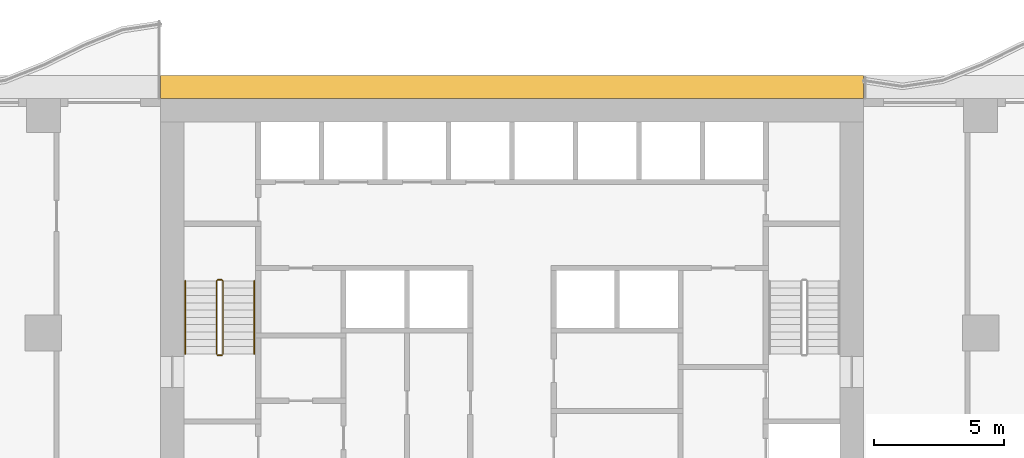
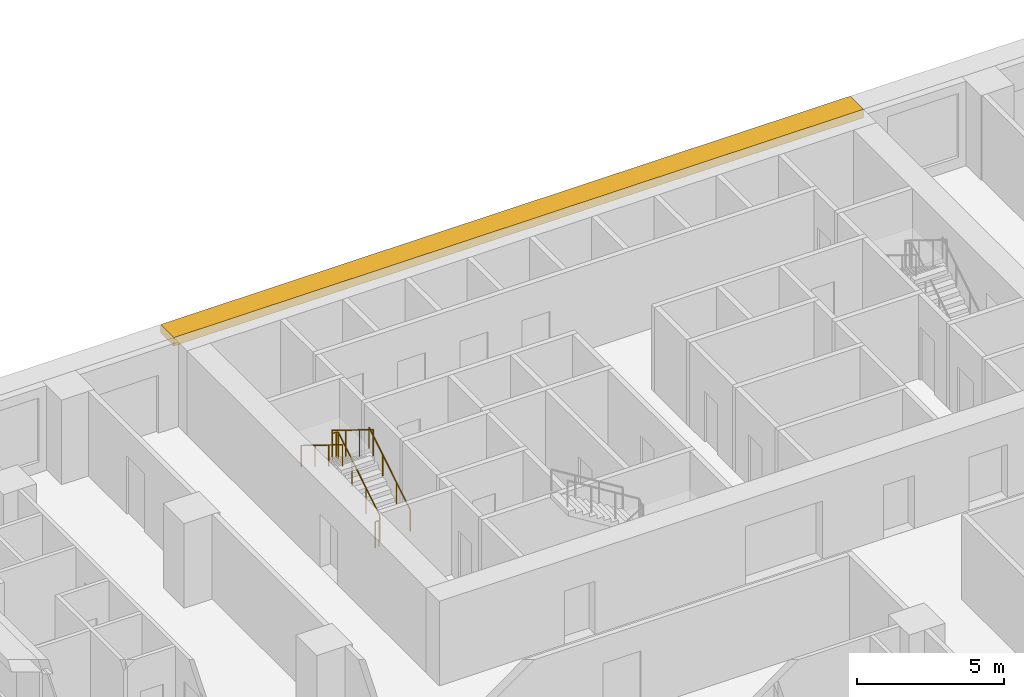
# One storey, part 12 of 14: 4 railings, 1 shading device.
"""IFC4 building model written with IfcOpenShell, lengths in metres."""

from ifc_helpers import new_model, si_unit, direction, frame, origin, origin_2d, place, context, subcontext, project, spatial, polyline, circle, outline, extrude, material, layer, layer_set, type_object, element, save


model = new_model("IFC4")

# Units and contexts
model_context = context("Model", 3, precision=1e-05, world=origin(), true_north=direction((0.0, 1.0)))
body_context = subcontext(model_context, "Body", "Model", "MODEL_VIEW")
ifc_project = project(units=[si_unit("LENGTHUNIT", "METRE"), si_unit("AREAUNIT", "SQUARE_METRE"), si_unit("VOLUMEUNIT", "CUBIC_METRE"), si_unit("PLANEANGLEUNIT", "RADIAN"), si_unit("MASSUNIT", "GRAM", prefix="KILO")], contexts=[model_context])

# Site, building, storey
site_placement = place(None, origin())
site = spatial("IfcSite", under=ifc_project, at=site_placement, CompositionType="ELEMENT")
building_placement = place(site_placement, origin())
building = spatial("IfcBuilding", under=site, at=building_placement, Name="Orbiselva Terraces", CompositionType="ELEMENT")
storey_placement = place(building_placement, frame((0.0, 0.0, 84.6)))
storey = spatial("IfcBuildingStorey", under=building, at=storey_placement, Name="L21", CompositionType="ELEMENT", Elevation=84.6)

# Railings
ifc_material_1 = material(Name="Stainless steel", Category="steel")
railing_type_1 = type_object("IfcRailingType", Name="CORE-GUARD-1100", PredefinedType="GUARDRAIL", material=ifc_material_1)
railing_1_placement = place(storey_placement, frame((-11.1, 12.7, 0.172727)))
element("IfcRailing", 1, at=railing_1_placement, inside=storey, type_object=railing_type_1, Name="L21 S1 stair guard 1", PredefinedType="GUARDRAIL", context=body_context, shape_type="SweptSolid", body=[
    extrude(circle(Radius=0.024, at=origin_2d()), frame((0.0, 0.0, 1.081), z_axis=(0.0, 0.851088519012, 0.52502222125), x_axis=(-1.0, 0.0, 0.0)), (0.0, 0.0, 1.0), 3.289905),
    extrude(circle(Radius=0.024, at=origin_2d()), frame((0.0, 2.8, 2.808273), z_axis=(-0.707106781187, 0.707106781187, 0.0), x_axis=(-0.707106781187, -0.707106781187, 0.0)), (0.0, 0.0, 1.0), 0.070711),
    extrude(circle(Radius=0.024, at=origin_2d()), frame((-0.05, 2.85, 2.808273), z_axis=(-1.0, 0.0, 0.0), x_axis=(0.0, -1.0, 0.0)), (0.0, 0.0, 1.0), 0.15),
    extrude(circle(Radius=0.024, at=origin_2d()), frame((-0.2, 2.85, 2.808273), z_axis=(-0.267894925557, -0.267894925557, 0.925453736133), x_axis=(0.707106781187, -0.707106781187, 0.0)), (0.0, 0.0, 1.0), 0.18664),
    extrude(circle(Radius=0.024, at=origin_2d()), frame((-0.25, 2.8, 2.981), z_axis=(0.0, -0.851088519012, 0.52502222125), x_axis=(1.0, 0.0, 0.0)), (0.0, 0.0, 1.0), 3.289905),
    extrude(circle(Radius=0.021, at=origin_2d()), origin(), (0.0, 0.0, 1.0), 1.057),
    extrude(circle(Radius=0.021, at=origin_2d()), frame((0.0, 0.933333, 0.575758)), (0.0, 0.0, 1.0), 1.057),
    extrude(circle(Radius=0.021, at=origin_2d()), frame((0.0, 1.866667, 1.151515)), (0.0, 0.0, 1.0), 1.057),
    extrude(circle(Radius=0.021, at=origin_2d()), frame((0.0, 2.8, 1.727273)), (0.0, 0.0, 1.0), 1.057),
    extrude(circle(Radius=0.021, at=origin_2d()), frame((-0.05, 2.85, 1.727273)), (0.0, 0.0, 1.0), 1.057),
    extrude(circle(Radius=0.021, at=origin_2d()), frame((-0.2, 2.85, 1.727273)), (0.0, 0.0, 1.0), 1.057),
    extrude(circle(Radius=0.021, at=origin_2d()), frame((-0.25, 2.8, 1.9)), (0.0, 0.0, 1.0), 1.057),
    extrude(circle(Radius=0.021, at=origin_2d()), frame((-0.25, 1.866667, 2.475758)), (0.0, 0.0, 1.0), 1.057),
    extrude(circle(Radius=0.021, at=origin_2d()), frame((-0.25, 0.933333, 3.051515)), (0.0, 0.0, 1.0), 1.057),
    extrude(circle(Radius=0.021, at=origin_2d()), frame((-0.25, 0.0, 3.627273)), (0.0, 0.0, 1.0), 1.057),
])
railing_2_placement = place(storey_placement, frame((-11.15, 12.65, 0.0)))
element("IfcRailing", 2, at=railing_2_placement, inside=storey, type_object=railing_type_1, Name="L21 S1 stair guard 2", PredefinedType="GUARDRAIL", context=body_context, shape_type="SweptSolid", body=[
    extrude(circle(Radius=0.024, at=origin_2d()), frame((0.0, 0.0, 1.081), z_axis=(-1.0, 0.0, 0.0), x_axis=(0.0, -1.0, 0.0)), (0.0, 0.0, 1.0), 0.15),
    extrude(circle(Radius=0.021, at=origin_2d()), origin(), (0.0, 0.0, 1.0), 1.057),
    extrude(circle(Radius=0.021, at=origin_2d()), frame((-0.15, 0.0, 0.0)), (0.0, 0.0, 1.0), 1.057),
])
railing_type_2 = type_object("IfcRailingType", Name="CORE-HANDRAIL-900", PredefinedType="HANDRAIL", material=ifc_material_1)
railing_3_placement = place(storey_placement, frame((-9.9, 12.7, 0.172727)))
element("IfcRailing", 3, at=railing_3_placement, inside=storey, type_object=railing_type_2, Name="L21 S1 stair handrail 1", PredefinedType="HANDRAIL", context=body_context, shape_type="SweptSolid", body=[
    extrude(circle(Radius=0.024, at=origin_2d()), frame((0.0, 0.0, 0.876), z_axis=(0.0, 0.851088519012, 0.52502222125), x_axis=(-1.0, 0.0, 0.0)), (0.0, 0.0, 1.0), 3.289905),
    extrude(circle(Radius=0.021, at=origin_2d()), origin(), (0.0, 0.0, 1.0), 0.852),
    extrude(circle(Radius=0.021, at=origin_2d()), frame((0.0, 0.933333, 0.575758)), (0.0, 0.0, 1.0), 0.852),
    extrude(circle(Radius=0.021, at=origin_2d()), frame((0.0, 1.866667, 1.151515)), (0.0, 0.0, 1.0), 0.852),
    extrude(circle(Radius=0.021, at=origin_2d()), frame((0.0, 2.8, 1.727273)), (0.0, 0.0, 1.0), 0.852),
])
railing_4_placement = place(storey_placement, frame((-12.55, 15.5, 2.072727)))
element("IfcRailing", 4, at=railing_4_placement, inside=storey, type_object=railing_type_2, Name="L21 S1 stair handrail 2", PredefinedType="HANDRAIL", context=body_context, shape_type="SweptSolid", body=[
    extrude(circle(Radius=0.024, at=origin_2d()), frame((0.0, 0.0, 0.876), z_axis=(0.0, -0.851088519012, 0.52502222125), x_axis=(1.0, 0.0, 0.0)), (0.0, 0.0, 1.0), 3.289905),
    extrude(circle(Radius=0.021, at=origin_2d()), origin(), (0.0, 0.0, 1.0), 0.852),
    extrude(circle(Radius=0.021, at=origin_2d()), frame((0.0, -0.933333, 0.575758)), (0.0, 0.0, 1.0), 0.852),
    extrude(circle(Radius=0.021, at=origin_2d()), frame((0.0, -1.866667, 1.151515)), (0.0, 0.0, 1.0), 0.852),
    extrude(circle(Radius=0.021, at=origin_2d()), frame((0.0, -2.8, 1.727273)), (0.0, 0.0, 1.0), 0.852),
])

# Shading device
ifc_material_2 = material(Name="Terracotta baguette sunshade", Category="masonry")
ifc_layer = layer(ifc_material_2, 0.35)
ifc_layer_set = layer_set([ifc_layer], Name="Terracotta baguette sunshade")
shading_device_type = type_object("IfcShadingDeviceType", Name="ENV-SUNSHADE-900x350", PredefinedType="USERDEFINED", material=ifc_layer_set)
shading_device_placement = place(storey_placement, frame((0.0, 0.0, 3.15)))
element("IfcShadingDevice", 5, at=shading_device_placement, inside=storey, type_object=shading_device_type, Name="Sunshade band L21 CORE NORTH", ObjectType="SUNSHADE", PredefinedType="USERDEFINED", context=body_context, shape_type="SweptSolid", body=[
    extrude(outline(polyline([(13.5, 23.4), (-13.5, 23.4), (-13.5, 22.5), (13.5, 22.5), (13.5, 23.4)])), origin(), (0.0, 0.0, 1.0), 0.35),
])

save(model, "model.ifc")
